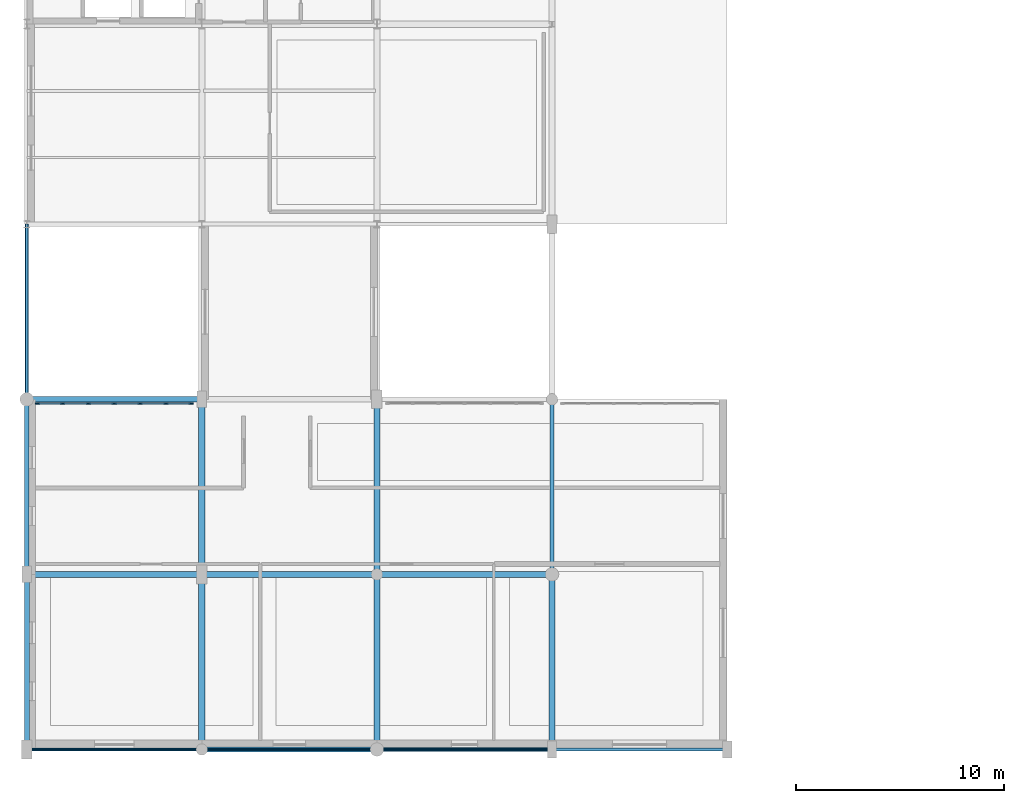
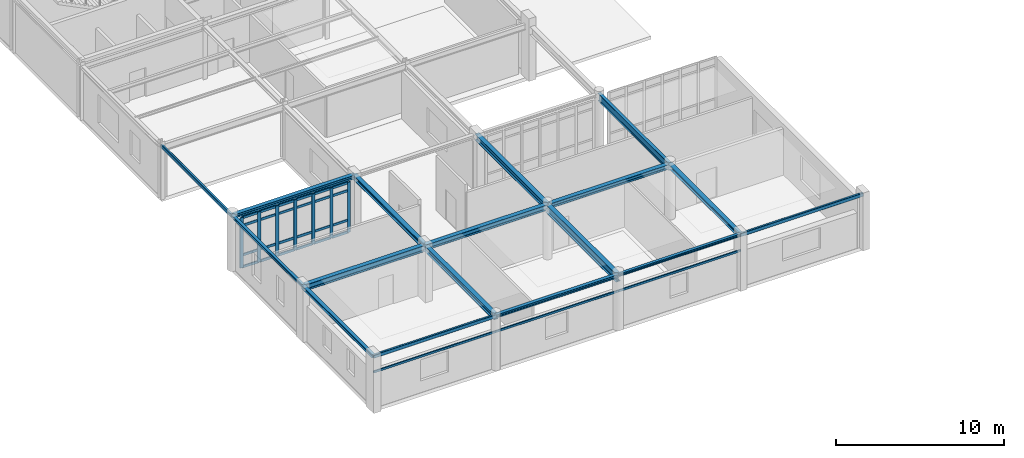
# One storey, part 22 of 90: 31 members, 20 beams, 1 element without a shape of its own.
"""IFC4 building model written with IfcOpenShell, lengths in metres."""

from ifc_helpers import new_model, si_unit, derived_unit, direction, frame, origin, origin_2d, place, context, subcontext, project, spatial, rectangle, hollow_rectangle, i_section, extrude, material, layer, layer_set, material_profile, profile_set, type_object, element, aggregate, save


model = new_model("IFC4")

# Units and contexts
model_context = context("Model", 3, precision=1e-05, world=origin(), true_north=direction((0.0, 1.0)))
body_context = subcontext(model_context, "Body", "Model", "MODEL_VIEW")
ifc_project = project(units=[si_unit("LENGTHUNIT", "METRE"), si_unit("AREAUNIT", "SQUARE_METRE"), si_unit("VOLUMEUNIT", "CUBIC_METRE"), si_unit("PLANEANGLEUNIT", "RADIAN"), si_unit("MASSUNIT", "GRAM", prefix="KILO"), derived_unit("THERMALTRANSMITTANCEUNIT", [(si_unit("POWERUNIT", "WATT"), 1), (si_unit("AREAUNIT", "SQUARE_METRE"), -1), (si_unit("THERMODYNAMICTEMPERATUREUNIT", "KELVIN"), -1)])], contexts=[model_context])

# Site, building, storey
site_placement = place(None, origin())
site = spatial("IfcSite", under=ifc_project, at=site_placement, CompositionType="ELEMENT")
building_placement = place(site_placement, origin())
building = spatial("IfcBuilding", under=site, at=building_placement, Name="Yasenodar Specialist Clinic", CompositionType="ELEMENT")
storey_placement = place(building_placement, frame((0.0, 0.0, 9.0)))
storey = spatial("IfcBuildingStorey", under=building, at=storey_placement, Name="L02", CompositionType="ELEMENT", Elevation=9.0)

# Beams
ifc_material_1 = material(Name="Steel S355", Category="steel")
ifc_material_profile_1 = material_profile(ifc_material_1, i_section(OverallWidth=0.280029296875, OverallDepth=0.27001953125, WebThickness=0.008056640625, FlangeThickness=0.012939453125, FilletRadius=0.02392578125, at=origin_2d()), Name="HEA 280")
ifc_profile_set_1 = profile_set([ifc_material_profile_1], Name="Steel S355")
beam_type_1 = type_object("IfcBeamType", Name="BM-HEA280", PredefinedType="BEAM", material=ifc_profile_set_1)
beam_1_placement = place(storey_placement, frame((0.0, 16.800048828125, 3.804931640625), z_axis=(1.0, 0.0, 0.0), x_axis=(0.0, 1.0, 0.0)))
element("IfcBeam", 1, at=beam_1_placement, inside=storey, type_object=beam_type_1, Name="L02 Primary E-W Girder", PredefinedType="BEAM", context=body_context, shape_type="SweptSolid", body=[
    extrude(i_section(OverallWidth=0.280029296875, OverallDepth=0.27001953125, WebThickness=0.008056640625, FlangeThickness=0.012939453125, FilletRadius=0.02392578125, at=origin_2d()), origin(), (0.0, 0.0, 1.0), 8.39990234375),
])
ifc_material_profile_2 = material_profile(ifc_material_1, i_section(OverallWidth=0.300048828125, OverallDepth=0.2900390625, WebThickness=0.008544921875, FlangeThickness=0.013916015625, FilletRadius=0.027099609375, at=origin_2d()), Name="HEA 300")
ifc_profile_set_2 = profile_set([ifc_material_profile_2], Name="Steel S355")
beam_type_2 = type_object("IfcBeamType", Name="BM-HEA300", PredefinedType="BEAM", material=ifc_profile_set_2)
beam_2_placement = place(storey_placement, frame((25.199951171875, 0.0, 3.794921875), z_axis=(0.0, 1.0, 0.0), x_axis=(-1.0, 0.0, 0.0)))
element("IfcBeam", 2, at=beam_2_placement, inside=storey, type_object=beam_type_2, Name="L02 Primary N-S Girder", PredefinedType="BEAM", context=body_context, shape_type="SweptSolid", body=[
    extrude(i_section(OverallWidth=0.300048828125, OverallDepth=0.2900390625, WebThickness=0.008544921875, FlangeThickness=0.013916015625, FilletRadius=0.027099609375, at=origin_2d()), origin(), (0.0, 0.0, 1.0), 8.39990234375),
])
ifc_material_profile_3 = material_profile(ifc_material_1, i_section(OverallWidth=0.300048828125, OverallDepth=0.330078125, WebThickness=0.009521484375, FlangeThickness=0.0166015625, FilletRadius=0.027099609375, at=origin_2d()), Name="HEA 340")
ifc_profile_set_3 = profile_set([ifc_material_profile_3], Name="Steel S355")
beam_type_3 = type_object("IfcBeamType", Name="BM-HEA340", PredefinedType="BEAM", material=ifc_profile_set_3)
beam_3_placement = place(storey_placement, frame((16.800048828125, 8.39990234375, 3.77490234375), z_axis=(1.0, 0.0, 0.0), x_axis=(0.0, 1.0, 0.0)))
element("IfcBeam", 3, at=beam_3_placement, inside=storey, type_object=beam_type_3, Name="L02 Primary E-W Girder", PredefinedType="BEAM", context=body_context, shape_type="SweptSolid", body=[
    extrude(i_section(OverallWidth=0.300048828125, OverallDepth=0.330078125, WebThickness=0.009521484375, FlangeThickness=0.0166015625, FilletRadius=0.027099609375, at=origin_2d()), origin(), (0.0, 0.0, 1.0), 8.39990234375),
])
ifc_material_profile_4 = material_profile(ifc_material_1, i_section(OverallWidth=0.300048828125, OverallDepth=0.389892578125, WebThickness=0.010986328125, FlangeThickness=0.01904296875, FilletRadius=0.027099609375, at=origin_2d()), Name="HEA 400")
ifc_profile_set_4 = profile_set([ifc_material_profile_4], Name="Steel S355")
beam_type_4 = type_object("IfcBeamType", Name="BM-HEA400", PredefinedType="BEAM", material=ifc_profile_set_4)
beam_4_placement = place(storey_placement, frame((8.39990234375, 8.39990234375, 3.7451171875), z_axis=(1.0, 0.0, 0.0), x_axis=(0.0, 1.0, 0.0)))
element("IfcBeam", 4, at=beam_4_placement, inside=storey, type_object=beam_type_4, Name="L02 Primary E-W Girder", PredefinedType="BEAM", context=body_context, shape_type="SweptSolid", body=[
    extrude(i_section(OverallWidth=0.300048828125, OverallDepth=0.389892578125, WebThickness=0.010986328125, FlangeThickness=0.01904296875, FilletRadius=0.027099609375, at=origin_2d()), origin(), (0.0, 0.0, 1.0), 8.400146484375),
])
ifc_material_profile_5 = material_profile(ifc_material_1, i_section(OverallWidth=0.300048828125, OverallDepth=0.43994140625, WebThickness=0.011474609375, FlangeThickness=0.02099609375, FilletRadius=0.027099609375, at=origin_2d()), Name="HEA 450")
ifc_profile_set_5 = profile_set([ifc_material_profile_5], Name="Steel S355")
beam_type_5 = type_object("IfcBeamType", Name="BM-HEA450", PredefinedType="BEAM", material=ifc_profile_set_5)
beam_5_placement = place(storey_placement, frame((0.0, 8.39990234375, 3.719970703125), z_axis=(1.0, 0.0, 0.0), x_axis=(0.0, 1.0, 0.0)))
element("IfcBeam", 5, at=beam_5_placement, inside=storey, type_object=beam_type_5, Name="L02 Primary E-W Girder", PredefinedType="BEAM", context=body_context, shape_type="SweptSolid", body=[
    extrude(i_section(OverallWidth=0.300048828125, OverallDepth=0.43994140625, WebThickness=0.011474609375, FlangeThickness=0.02099609375, FilletRadius=0.027099609375, at=origin_2d()), origin(), (0.0, 0.0, 1.0), 8.39990234375),
])
ifc_material_profile_6 = material_profile(ifc_material_1, i_section(OverallWidth=0.300048828125, OverallDepth=0.340087890625, WebThickness=0.011962890625, FlangeThickness=0.021484375, FilletRadius=0.027099609375, at=origin_2d()), Name="HEB 340")
ifc_profile_set_6 = profile_set([ifc_material_profile_6], Name="Steel S355")
beam_type_6 = type_object("IfcBeamType", Name="BM-HEB340", PredefinedType="BEAM", material=ifc_profile_set_6)
beam_6_placement = place(storey_placement, frame((8.39990234375, 8.39990234375, 3.77001953125), z_axis=(0.0, 1.0, 0.0), x_axis=(-1.0, 0.0, 0.0)))
element("IfcBeam", 6, at=beam_6_placement, inside=storey, type_object=beam_type_6, Name="L02 Primary N-S Girder", PredefinedType="BEAM", context=body_context, shape_type="SweptSolid", body=[
    extrude(i_section(OverallWidth=0.300048828125, OverallDepth=0.340087890625, WebThickness=0.011962890625, FlangeThickness=0.021484375, FilletRadius=0.027099609375, at=origin_2d()), origin(), (0.0, 0.0, 1.0), 8.400146484375),
])
ifc_material_profile_7 = material_profile(ifc_material_1, i_section(OverallWidth=0.300048828125, OverallDepth=0.39990234375, WebThickness=0.013427734375, FlangeThickness=0.02392578125, FilletRadius=0.027099609375, at=origin_2d()), Name="HEB 400")
ifc_profile_set_7 = profile_set([ifc_material_profile_7], Name="Steel S355")
beam_type_7 = type_object("IfcBeamType", Name="BM-HEB400", PredefinedType="BEAM", material=ifc_profile_set_7)
beam_7_placement = place(storey_placement, frame((8.39990234375, 0.0, 3.739990234375), z_axis=(0.0, 1.0, 0.0), x_axis=(-1.0, 0.0, 0.0)))
element("IfcBeam", 7, at=beam_7_placement, inside=storey, type_object=beam_type_7, Name="L02 Primary N-S Girder", PredefinedType="BEAM", context=body_context, shape_type="SweptSolid", body=[
    extrude(i_section(OverallWidth=0.300048828125, OverallDepth=0.39990234375, WebThickness=0.013427734375, FlangeThickness=0.02392578125, FilletRadius=0.027099609375, at=origin_2d()), origin(), (0.0, 0.0, 1.0), 8.39990234375),
])
ifc_material_profile_8 = material_profile(ifc_material_1, i_section(OverallWidth=0.300048828125, OverallDepth=0.449951171875, WebThickness=0.013916015625, FlangeThickness=0.02587890625, FilletRadius=0.027099609375, at=origin_2d()), Name="HEB 450")
ifc_profile_set_8 = profile_set([ifc_material_profile_8], Name="Steel S355")
beam_type_8 = type_object("IfcBeamType", Name="BM-HEB450", PredefinedType="BEAM", material=ifc_profile_set_8)
beam_8_placement = place(storey_placement, frame((16.800048828125, 8.39990234375, 3.715087890625), z_axis=(0.0, 1.0, 0.0), x_axis=(-1.0, 0.0, 0.0)))
element("IfcBeam", 8, at=beam_8_placement, inside=storey, type_object=beam_type_8, Name="L02 Primary N-S Girder", PredefinedType="BEAM", context=body_context, shape_type="SweptSolid", body=[
    extrude(i_section(OverallWidth=0.300048828125, OverallDepth=0.449951171875, WebThickness=0.013916015625, FlangeThickness=0.02587890625, FilletRadius=0.027099609375, at=origin_2d()), origin(), (0.0, 0.0, 1.0), 8.400146484375),
])
ifc_material_profile_9 = material_profile(ifc_material_1, i_section(OverallWidth=0.300048828125, OverallDepth=0.60009765625, WebThickness=0.015380859375, FlangeThickness=0.030029296875, FilletRadius=0.027099609375, at=origin_2d()), Name="HEB 600")
ifc_profile_set_9 = profile_set([ifc_material_profile_9], Name="Steel S355")
beam_type_9 = type_object("IfcBeamType", Name="BM-HEB600", PredefinedType="BEAM", material=ifc_profile_set_9)
beam_9_placement = place(storey_placement, frame((16.800048828125, 0.0, 3.639892578125), z_axis=(0.0, 1.0, 0.0), x_axis=(-1.0, 0.0, 0.0)))
element("IfcBeam", 9, at=beam_9_placement, inside=storey, type_object=beam_type_9, Name="L02 Primary N-S Girder", PredefinedType="BEAM", context=body_context, shape_type="SweptSolid", body=[
    extrude(i_section(OverallWidth=0.300048828125, OverallDepth=0.60009765625, WebThickness=0.015380859375, FlangeThickness=0.030029296875, FilletRadius=0.027099609375, at=origin_2d()), origin(), (0.0, 0.0, 1.0), 8.39990234375),
])
ifc_material_profile_10 = material_profile(ifc_material_1, i_section(OverallWidth=0.2099609375, OverallDepth=0.550048828125, WebThickness=0.010986328125, FlangeThickness=0.01708984375, FilletRadius=0.02392578125, at=origin_2d()), Name="IPE 550")
ifc_profile_set_10 = profile_set([ifc_material_profile_10], Name="Steel S355")
beam_type_10 = type_object("IfcBeamType", Name="BM-IPE550", PredefinedType="BEAM", material=ifc_profile_set_10)
beam_10_placement = place(storey_placement, frame((25.199951171875, 8.39990234375, 3.6650390625), z_axis=(0.0, 1.0, 0.0), x_axis=(-1.0, 0.0, 0.0)))
element("IfcBeam", 10, at=beam_10_placement, inside=storey, type_object=beam_type_10, Name="L02 Primary N-S Girder", PredefinedType="BEAM", context=body_context, shape_type="SweptSolid", body=[
    extrude(i_section(OverallWidth=0.2099609375, OverallDepth=0.550048828125, WebThickness=0.010986328125, FlangeThickness=0.01708984375, FilletRadius=0.02392578125, at=origin_2d()), origin(), (0.0, 0.0, 1.0), 8.400146484375),
])

# Curtain wall, members
ifc_material_2 = material(Name="Bronze Anodized Aluminium and Triple Low-E Glass", Category="aluminium")
ifc_layer = layer(ifc_material_2, 0.202880859375)
ifc_layer_set = layer_set([ifc_layer], Name="Bronze Anodized Aluminium and Triple Low-E Glass")
curtain_wall_type = type_object("IfcCurtainWallType", Name="CW-SYS-04", PredefinedType="USERDEFINED", material=ifc_layer_set)
curtain_wall_placement = place(storey_placement, origin())
curtain_wall = element("IfcCurtainWall", 11, at=curtain_wall_placement, inside=storey, type_object=curtain_wall_type, Name="L02 Unitised Curtain Wall 075", ObjectType="UNITISED CURTAIN WALL", PredefinedType="USERDEFINED")
ifc_material_3 = material(Name="Bronze Anodized Aluminium", Category="aluminium")
ifc_material_profile_11 = material_profile(ifc_material_3, rectangle(XDim=0.074951171875, YDim=0.22509765625, at=origin_2d()), Name="CW-MULL 75x225")
ifc_profile_set_11 = profile_set([ifc_material_profile_11], Name="Bronze Anodized Aluminium")
member_type_1 = type_object("IfcMemberType", Name="CW-MULL-225", PredefinedType="MULLION", material=ifc_profile_set_11)
member_1_placement = place(storey_placement, frame((0.517578125, 16.60009765625, 0.0), z_axis=(0.0, 0.0, 1.0), x_axis=(0.0, 1.0, 0.0)))
member_1 = element("IfcMember", 12, at=member_1_placement, type_object=member_type_1, Name="CW-04 mullion 1", PredefinedType="MULLION", context=body_context, shape_type="SweptSolid", body=[
    extrude(rectangle(XDim=0.074951171875, YDim=0.22509765625, at=origin_2d()), origin(), (0.0, 0.0, 1.0), 3.64794921875),
])
member_2_placement = place(storey_placement, frame((1.719970703125, 16.60009765625, 0.0), z_axis=(0.0, 0.0, 1.0), x_axis=(0.0, 1.0, 0.0)))
member_2 = element("IfcMember", 13, at=member_2_placement, type_object=member_type_1, Name="CW-04 mullion 2", PredefinedType="MULLION", context=body_context, shape_type="SweptSolid", body=[
    extrude(rectangle(XDim=0.074951171875, YDim=0.22509765625, at=origin_2d()), origin(), (0.0, 0.0, 1.0), 3.64794921875),
])
member_3_placement = place(storey_placement, frame((2.9599609375, 16.60009765625, 0.0), z_axis=(0.0, 0.0, 1.0), x_axis=(0.0, 1.0, 0.0)))
member_3 = element("IfcMember", 14, at=member_3_placement, type_object=member_type_1, Name="CW-04 mullion 3", PredefinedType="MULLION", context=body_context, shape_type="SweptSolid", body=[
    extrude(rectangle(XDim=0.074951171875, YDim=0.22509765625, at=origin_2d()), origin(), (0.0, 0.0, 1.0), 3.64794921875),
])
member_4_placement = place(storey_placement, frame((4.199951171875, 16.60009765625, 0.0), z_axis=(0.0, 0.0, 1.0), x_axis=(0.0, 1.0, 0.0)))
member_4 = element("IfcMember", 15, at=member_4_placement, type_object=member_type_1, Name="CW-04 mullion 4", PredefinedType="MULLION", context=body_context, shape_type="SweptSolid", body=[
    extrude(rectangle(XDim=0.074951171875, YDim=0.22509765625, at=origin_2d()), origin(), (0.0, 0.0, 1.0), 3.64794921875),
])
member_5_placement = place(storey_placement, frame((5.43994140625, 16.60009765625, 0.0), z_axis=(0.0, 0.0, 1.0), x_axis=(0.0, 1.0, 0.0)))
member_5 = element("IfcMember", 16, at=member_5_placement, type_object=member_type_1, Name="CW-04 mullion 5", PredefinedType="MULLION", context=body_context, shape_type="SweptSolid", body=[
    extrude(rectangle(XDim=0.074951171875, YDim=0.22509765625, at=origin_2d()), origin(), (0.0, 0.0, 1.0), 3.64794921875),
])
member_6_placement = place(storey_placement, frame((6.679931640625, 16.60009765625, 0.0), z_axis=(0.0, 0.0, 1.0), x_axis=(0.0, 1.0, 0.0)))
member_6 = element("IfcMember", 17, at=member_6_placement, type_object=member_type_1, Name="CW-04 mullion 6", PredefinedType="MULLION", context=body_context, shape_type="SweptSolid", body=[
    extrude(rectangle(XDim=0.074951171875, YDim=0.22509765625, at=origin_2d()), origin(), (0.0, 0.0, 1.0), 3.64794921875),
])
member_7_placement = place(storey_placement, frame((7.882568359375, 16.60009765625, 0.0), z_axis=(0.0, 0.0, 1.0), x_axis=(0.0, 1.0, 0.0)))
member_7 = element("IfcMember", 18, at=member_7_placement, type_object=member_type_1, Name="CW-04 mullion 7", PredefinedType="MULLION", context=body_context, shape_type="SweptSolid", body=[
    extrude(rectangle(XDim=0.074951171875, YDim=0.22509765625, at=origin_2d()), origin(), (0.0, 0.0, 1.0), 3.64794921875),
])
ifc_material_profile_12 = material_profile(ifc_material_3, rectangle(XDim=0.074951171875, YDim=0.175048828125, at=origin_2d()), Name="CW-TRAN 75x175")
ifc_profile_set_12 = profile_set([ifc_material_profile_12], Name="Bronze Anodized Aluminium")
member_type_2 = type_object("IfcMemberType", Name="CW-TRAN-175", PredefinedType="USERDEFINED", material=ifc_profile_set_12)
member_8_placement = place(storey_placement, frame((0.554931640625, 16.60009765625, 0.03759765625), z_axis=(1.0, 0.0, 0.0), x_axis=(0.0, 1.0, 0.0)))
member_8 = element("IfcMember", 19, at=member_8_placement, type_object=member_type_2, Name="CW-04 transom 1.1", ObjectType="TRANSOM", PredefinedType="USERDEFINED", context=body_context, shape_type="SweptSolid", body=[
    extrude(rectangle(XDim=0.074951171875, YDim=0.175048828125, at=origin_2d()), origin(), (0.0, 0.0, 1.0), 1.127685546875),
])
member_9_placement = place(storey_placement, frame((0.554931640625, 16.60009765625, 0.89990234375), z_axis=(1.0, 0.0, 0.0), x_axis=(0.0, 1.0, 0.0)))
member_9 = element("IfcMember", 20, at=member_9_placement, type_object=member_type_2, Name="CW-04 transom 1.2", ObjectType="TRANSOM", PredefinedType="USERDEFINED", context=body_context, shape_type="SweptSolid", body=[
    extrude(rectangle(XDim=0.074951171875, YDim=0.175048828125, at=origin_2d()), origin(), (0.0, 0.0, 1.0), 1.127685546875),
])
member_10_placement = place(storey_placement, frame((0.554931640625, 16.60009765625, 3.048095703125), z_axis=(1.0, 0.0, 0.0), x_axis=(0.0, 1.0, 0.0)))
member_10 = element("IfcMember", 21, at=member_10_placement, type_object=member_type_2, Name="CW-04 transom 1.3", ObjectType="TRANSOM", PredefinedType="USERDEFINED", context=body_context, shape_type="SweptSolid", body=[
    extrude(rectangle(XDim=0.074951171875, YDim=0.175048828125, at=origin_2d()), origin(), (0.0, 0.0, 1.0), 1.127685546875),
])
member_11_placement = place(storey_placement, frame((0.554931640625, 16.60009765625, 3.610595703125), z_axis=(1.0, 0.0, 0.0), x_axis=(0.0, 1.0, 0.0)))
member_11 = element("IfcMember", 22, at=member_11_placement, type_object=member_type_2, Name="CW-04 transom 1.4", ObjectType="TRANSOM", PredefinedType="USERDEFINED", context=body_context, shape_type="SweptSolid", body=[
    extrude(rectangle(XDim=0.074951171875, YDim=0.175048828125, at=origin_2d()), origin(), (0.0, 0.0, 1.0), 1.127685546875),
])
member_12_placement = place(storey_placement, frame((1.757568359375, 16.60009765625, 0.03759765625), z_axis=(1.0, 0.0, 0.0), x_axis=(0.0, 1.0, 0.0)))
member_12 = element("IfcMember", 23, at=member_12_placement, type_object=member_type_2, Name="CW-04 transom 2.1", ObjectType="TRANSOM", PredefinedType="USERDEFINED", context=body_context, shape_type="SweptSolid", body=[
    extrude(rectangle(XDim=0.074951171875, YDim=0.175048828125, at=origin_2d()), origin(), (0.0, 0.0, 1.0), 1.1650390625),
])
member_13_placement = place(storey_placement, frame((1.757568359375, 16.60009765625, 0.89990234375), z_axis=(1.0, 0.0, 0.0), x_axis=(0.0, 1.0, 0.0)))
member_13 = element("IfcMember", 24, at=member_13_placement, type_object=member_type_2, Name="CW-04 transom 2.2", ObjectType="TRANSOM", PredefinedType="USERDEFINED", context=body_context, shape_type="SweptSolid", body=[
    extrude(rectangle(XDim=0.074951171875, YDim=0.175048828125, at=origin_2d()), origin(), (0.0, 0.0, 1.0), 1.1650390625),
])
member_14_placement = place(storey_placement, frame((1.757568359375, 16.60009765625, 3.048095703125), z_axis=(1.0, 0.0, 0.0), x_axis=(0.0, 1.0, 0.0)))
member_14 = element("IfcMember", 25, at=member_14_placement, type_object=member_type_2, Name="CW-04 transom 2.3", ObjectType="TRANSOM", PredefinedType="USERDEFINED", context=body_context, shape_type="SweptSolid", body=[
    extrude(rectangle(XDim=0.074951171875, YDim=0.175048828125, at=origin_2d()), origin(), (0.0, 0.0, 1.0), 1.1650390625),
])
member_15_placement = place(storey_placement, frame((1.757568359375, 16.60009765625, 3.610595703125), z_axis=(1.0, 0.0, 0.0), x_axis=(0.0, 1.0, 0.0)))
member_15 = element("IfcMember", 26, at=member_15_placement, type_object=member_type_2, Name="CW-04 transom 2.4", ObjectType="TRANSOM", PredefinedType="USERDEFINED", context=body_context, shape_type="SweptSolid", body=[
    extrude(rectangle(XDim=0.074951171875, YDim=0.175048828125, at=origin_2d()), origin(), (0.0, 0.0, 1.0), 1.1650390625),
])
member_16_placement = place(storey_placement, frame((2.99755859375, 16.60009765625, 0.03759765625), z_axis=(1.0, 0.0, 0.0), x_axis=(0.0, 1.0, 0.0)))
member_16 = element("IfcMember", 27, at=member_16_placement, type_object=member_type_2, Name="CW-04 transom 3.1", ObjectType="TRANSOM", PredefinedType="USERDEFINED", context=body_context, shape_type="SweptSolid", body=[
    extrude(rectangle(XDim=0.074951171875, YDim=0.175048828125, at=origin_2d()), origin(), (0.0, 0.0, 1.0), 1.1650390625),
])
member_17_placement = place(storey_placement, frame((2.99755859375, 16.60009765625, 0.89990234375), z_axis=(1.0, 0.0, 0.0), x_axis=(0.0, 1.0, 0.0)))
member_17 = element("IfcMember", 28, at=member_17_placement, type_object=member_type_2, Name="CW-04 transom 3.2", ObjectType="TRANSOM", PredefinedType="USERDEFINED", context=body_context, shape_type="SweptSolid", body=[
    extrude(rectangle(XDim=0.074951171875, YDim=0.175048828125, at=origin_2d()), origin(), (0.0, 0.0, 1.0), 1.1650390625),
])
member_18_placement = place(storey_placement, frame((2.99755859375, 16.60009765625, 3.048095703125), z_axis=(1.0, 0.0, 0.0), x_axis=(0.0, 1.0, 0.0)))
member_18 = element("IfcMember", 29, at=member_18_placement, type_object=member_type_2, Name="CW-04 transom 3.3", ObjectType="TRANSOM", PredefinedType="USERDEFINED", context=body_context, shape_type="SweptSolid", body=[
    extrude(rectangle(XDim=0.074951171875, YDim=0.175048828125, at=origin_2d()), origin(), (0.0, 0.0, 1.0), 1.1650390625),
])
member_19_placement = place(storey_placement, frame((2.99755859375, 16.60009765625, 3.610595703125), z_axis=(1.0, 0.0, 0.0), x_axis=(0.0, 1.0, 0.0)))
member_19 = element("IfcMember", 30, at=member_19_placement, type_object=member_type_2, Name="CW-04 transom 3.4", ObjectType="TRANSOM", PredefinedType="USERDEFINED", context=body_context, shape_type="SweptSolid", body=[
    extrude(rectangle(XDim=0.074951171875, YDim=0.175048828125, at=origin_2d()), origin(), (0.0, 0.0, 1.0), 1.1650390625),
])
member_20_placement = place(storey_placement, frame((4.237548828125, 16.60009765625, 0.03759765625), z_axis=(1.0, 0.0, 0.0), x_axis=(0.0, 1.0, 0.0)))
member_20 = element("IfcMember", 31, at=member_20_placement, type_object=member_type_2, Name="CW-04 transom 4.1", ObjectType="TRANSOM", PredefinedType="USERDEFINED", context=body_context, shape_type="SweptSolid", body=[
    extrude(rectangle(XDim=0.074951171875, YDim=0.175048828125, at=origin_2d()), origin(), (0.0, 0.0, 1.0), 1.1650390625),
])
member_21_placement = place(storey_placement, frame((4.237548828125, 16.60009765625, 0.89990234375), z_axis=(1.0, 0.0, 0.0), x_axis=(0.0, 1.0, 0.0)))
member_21 = element("IfcMember", 32, at=member_21_placement, type_object=member_type_2, Name="CW-04 transom 4.2", ObjectType="TRANSOM", PredefinedType="USERDEFINED", context=body_context, shape_type="SweptSolid", body=[
    extrude(rectangle(XDim=0.074951171875, YDim=0.175048828125, at=origin_2d()), origin(), (0.0, 0.0, 1.0), 1.1650390625),
])
member_22_placement = place(storey_placement, frame((4.237548828125, 16.60009765625, 3.048095703125), z_axis=(1.0, 0.0, 0.0), x_axis=(0.0, 1.0, 0.0)))
member_22 = element("IfcMember", 33, at=member_22_placement, type_object=member_type_2, Name="CW-04 transom 4.3", ObjectType="TRANSOM", PredefinedType="USERDEFINED", context=body_context, shape_type="SweptSolid", body=[
    extrude(rectangle(XDim=0.074951171875, YDim=0.175048828125, at=origin_2d()), origin(), (0.0, 0.0, 1.0), 1.1650390625),
])
member_23_placement = place(storey_placement, frame((4.237548828125, 16.60009765625, 3.610595703125), z_axis=(1.0, 0.0, 0.0), x_axis=(0.0, 1.0, 0.0)))
member_23 = element("IfcMember", 34, at=member_23_placement, type_object=member_type_2, Name="CW-04 transom 4.4", ObjectType="TRANSOM", PredefinedType="USERDEFINED", context=body_context, shape_type="SweptSolid", body=[
    extrude(rectangle(XDim=0.074951171875, YDim=0.175048828125, at=origin_2d()), origin(), (0.0, 0.0, 1.0), 1.1650390625),
])
member_24_placement = place(storey_placement, frame((5.4775390625, 16.60009765625, 0.03759765625), z_axis=(1.0, 0.0, 0.0), x_axis=(0.0, 1.0, 0.0)))
member_24 = element("IfcMember", 35, at=member_24_placement, type_object=member_type_2, Name="CW-04 transom 5.1", ObjectType="TRANSOM", PredefinedType="USERDEFINED", context=body_context, shape_type="SweptSolid", body=[
    extrude(rectangle(XDim=0.074951171875, YDim=0.175048828125, at=origin_2d()), origin(), (0.0, 0.0, 1.0), 1.1650390625),
])
member_25_placement = place(storey_placement, frame((5.4775390625, 16.60009765625, 0.89990234375), z_axis=(1.0, 0.0, 0.0), x_axis=(0.0, 1.0, 0.0)))
member_25 = element("IfcMember", 36, at=member_25_placement, type_object=member_type_2, Name="CW-04 transom 5.2", ObjectType="TRANSOM", PredefinedType="USERDEFINED", context=body_context, shape_type="SweptSolid", body=[
    extrude(rectangle(XDim=0.074951171875, YDim=0.175048828125, at=origin_2d()), origin(), (0.0, 0.0, 1.0), 1.1650390625),
])
member_26_placement = place(storey_placement, frame((5.4775390625, 16.60009765625, 3.048095703125), z_axis=(1.0, 0.0, 0.0), x_axis=(0.0, 1.0, 0.0)))
member_26 = element("IfcMember", 37, at=member_26_placement, type_object=member_type_2, Name="CW-04 transom 5.3", ObjectType="TRANSOM", PredefinedType="USERDEFINED", context=body_context, shape_type="SweptSolid", body=[
    extrude(rectangle(XDim=0.074951171875, YDim=0.175048828125, at=origin_2d()), origin(), (0.0, 0.0, 1.0), 1.1650390625),
])
member_27_placement = place(storey_placement, frame((5.4775390625, 16.60009765625, 3.610595703125), z_axis=(1.0, 0.0, 0.0), x_axis=(0.0, 1.0, 0.0)))
member_27 = element("IfcMember", 38, at=member_27_placement, type_object=member_type_2, Name="CW-04 transom 5.4", ObjectType="TRANSOM", PredefinedType="USERDEFINED", context=body_context, shape_type="SweptSolid", body=[
    extrude(rectangle(XDim=0.074951171875, YDim=0.175048828125, at=origin_2d()), origin(), (0.0, 0.0, 1.0), 1.1650390625),
])
member_28_placement = place(storey_placement, frame((6.717529296875, 16.60009765625, 0.03759765625), z_axis=(1.0, 0.0, 0.0), x_axis=(0.0, 1.0, 0.0)))
member_28 = element("IfcMember", 39, at=member_28_placement, type_object=member_type_2, Name="CW-04 transom 6.1", ObjectType="TRANSOM", PredefinedType="USERDEFINED", context=body_context, shape_type="SweptSolid", body=[
    extrude(rectangle(XDim=0.074951171875, YDim=0.175048828125, at=origin_2d()), origin(), (0.0, 0.0, 1.0), 1.12744140625),
])
member_29_placement = place(storey_placement, frame((6.717529296875, 16.60009765625, 0.89990234375), z_axis=(1.0, 0.0, 0.0), x_axis=(0.0, 1.0, 0.0)))
member_29 = element("IfcMember", 40, at=member_29_placement, type_object=member_type_2, Name="CW-04 transom 6.2", ObjectType="TRANSOM", PredefinedType="USERDEFINED", context=body_context, shape_type="SweptSolid", body=[
    extrude(rectangle(XDim=0.074951171875, YDim=0.175048828125, at=origin_2d()), origin(), (0.0, 0.0, 1.0), 1.12744140625),
])
member_30_placement = place(storey_placement, frame((6.717529296875, 16.60009765625, 3.048095703125), z_axis=(1.0, 0.0, 0.0), x_axis=(0.0, 1.0, 0.0)))
member_30 = element("IfcMember", 41, at=member_30_placement, type_object=member_type_2, Name="CW-04 transom 6.3", ObjectType="TRANSOM", PredefinedType="USERDEFINED", context=body_context, shape_type="SweptSolid", body=[
    extrude(rectangle(XDim=0.074951171875, YDim=0.175048828125, at=origin_2d()), origin(), (0.0, 0.0, 1.0), 1.12744140625),
])
member_31_placement = place(storey_placement, frame((6.717529296875, 16.60009765625, 3.610595703125), z_axis=(1.0, 0.0, 0.0), x_axis=(0.0, 1.0, 0.0)))
member_31 = element("IfcMember", 42, at=member_31_placement, type_object=member_type_2, Name="CW-04 transom 6.4", ObjectType="TRANSOM", PredefinedType="USERDEFINED", context=body_context, shape_type="SweptSolid", body=[
    extrude(rectangle(XDim=0.074951171875, YDim=0.175048828125, at=origin_2d()), origin(), (0.0, 0.0, 1.0), 1.12744140625),
])
aggregate(curtain_wall, [member_1, member_2, member_3, member_4, member_5, member_6, member_7, member_8, member_9, member_10, member_11, member_12, member_13, member_14, member_15, member_16, member_17, member_18, member_19, member_20, member_21, member_22, member_23, member_24, member_25, member_26, member_27, member_28, member_29, member_30, member_31])

# Beams
ifc_material_profile_13 = material_profile(ifc_material_1, hollow_rectangle(XDim=0.080078125, YDim=0.159912109375, WallThickness=0.00634765625, InnerFilletRadius=0.009521484375, OuterFilletRadius=0.015869140625, at=origin_2d()), Name="RHS 160x80x6.3")
ifc_profile_set_13 = profile_set([ifc_material_profile_13], Name="Steel S355")
beam_type_11 = type_object("IfcBeamType", Name="LN-RHS160", PredefinedType="LINTEL", material=ifc_profile_set_13)
beam_11_placement = place(storey_placement, frame((0.0, 0.0, 2.669921875), z_axis=(1.0, 0.0, 0.0), x_axis=(0.0, 1.0, 0.0)))
element("IfcBeam", 43, at=beam_11_placement, inside=storey, type_object=beam_type_11, Name="L02 Structural Opening Lintel", PredefinedType="LINTEL", context=body_context, shape_type="SweptSolid", body=[
    extrude(hollow_rectangle(XDim=0.080078125, YDim=0.159912109375, WallThickness=0.00634765625, InnerFilletRadius=0.009521484375, OuterFilletRadius=0.015869140625, at=origin_2d()), origin(), (0.0, 0.0, 1.0), 8.39990234375),
])
beam_12_placement = place(storey_placement, frame((8.39990234375, 0.0, 2.669921875), z_axis=(1.0, 0.0, 0.0), x_axis=(0.0, 1.0, 0.0)))
element("IfcBeam", 44, at=beam_12_placement, inside=storey, type_object=beam_type_11, Name="L02 Structural Opening Lintel", PredefinedType="LINTEL", context=body_context, shape_type="SweptSolid", body=[
    extrude(hollow_rectangle(XDim=0.080078125, YDim=0.159912109375, WallThickness=0.00634765625, InnerFilletRadius=0.009521484375, OuterFilletRadius=0.015869140625, at=origin_2d()), origin(), (0.0, 0.0, 1.0), 8.400146484375),
])
beam_13_placement = place(storey_placement, frame((16.800048828125, 0.0, 2.669921875), z_axis=(1.0, 0.0, 0.0), x_axis=(0.0, 1.0, 0.0)))
element("IfcBeam", 45, at=beam_13_placement, inside=storey, type_object=beam_type_11, Name="L02 Structural Opening Lintel", PredefinedType="LINTEL", context=body_context, shape_type="SweptSolid", body=[
    extrude(hollow_rectangle(XDim=0.080078125, YDim=0.159912109375, WallThickness=0.00634765625, InnerFilletRadius=0.009521484375, OuterFilletRadius=0.015869140625, at=origin_2d()), origin(), (0.0, 0.0, 1.0), 8.39990234375),
])
ifc_material_profile_14 = material_profile(ifc_material_1, i_section(OverallWidth=0.199951171875, OverallDepth=0.18994140625, WebThickness=0.006591796875, FlangeThickness=0.010009765625, FilletRadius=0.01806640625, at=origin_2d()), Name="HEA 200")
ifc_profile_set_14 = profile_set([ifc_material_profile_14], Name="Steel S355")
beam_type_12 = type_object("IfcBeamType", Name="SP-HEA200", PredefinedType="SPANDREL", material=ifc_profile_set_14)
beam_14_placement = place(storey_placement, frame((16.800048828125, 0.0, 3.844970703125), z_axis=(1.0, 0.0, 0.0), x_axis=(0.0, 1.0, 0.0)))
element("IfcBeam", 46, at=beam_14_placement, inside=storey, type_object=beam_type_12, Name="L02 Perimeter Spandrel Beam", PredefinedType="SPANDREL", context=body_context, shape_type="SweptSolid", body=[
    extrude(i_section(OverallWidth=0.199951171875, OverallDepth=0.18994140625, WebThickness=0.006591796875, FlangeThickness=0.010009765625, FilletRadius=0.01806640625, at=origin_2d()), origin(), (0.0, 0.0, 1.0), 8.39990234375),
])
beam_15_placement = place(storey_placement, frame((0.0, 8.39990234375, 3.844970703125), z_axis=(0.0, 1.0, 0.0), x_axis=(-1.0, 0.0, 0.0)))
element("IfcBeam", 47, at=beam_15_placement, inside=storey, type_object=beam_type_12, Name="L02 Perimeter Spandrel Beam", PredefinedType="SPANDREL", context=body_context, shape_type="SweptSolid", body=[
    extrude(i_section(OverallWidth=0.199951171875, OverallDepth=0.18994140625, WebThickness=0.006591796875, FlangeThickness=0.010009765625, FilletRadius=0.01806640625, at=origin_2d()), origin(), (0.0, 0.0, 1.0), 8.400146484375),
])
ifc_material_profile_15 = material_profile(ifc_material_1, i_section(OverallWidth=0.239990234375, OverallDepth=0.22998046875, WebThickness=0.007568359375, FlangeThickness=0.011962890625, FilletRadius=0.02099609375, at=origin_2d()), Name="HEA 240")
ifc_profile_set_15 = profile_set([ifc_material_profile_15], Name="Steel S355")
beam_type_13 = type_object("IfcBeamType", Name="SP-HEA240", PredefinedType="SPANDREL", material=ifc_profile_set_15)
beam_16_placement = place(storey_placement, frame((8.39990234375, 0.0, 3.824951171875), z_axis=(1.0, 0.0, 0.0), x_axis=(0.0, 1.0, 0.0)))
element("IfcBeam", 48, at=beam_16_placement, inside=storey, type_object=beam_type_13, Name="L02 Perimeter Spandrel Beam", PredefinedType="SPANDREL", context=body_context, shape_type="SweptSolid", body=[
    extrude(i_section(OverallWidth=0.239990234375, OverallDepth=0.22998046875, WebThickness=0.007568359375, FlangeThickness=0.011962890625, FilletRadius=0.02099609375, at=origin_2d()), origin(), (0.0, 0.0, 1.0), 8.400146484375),
])
beam_17_placement = place(storey_placement, frame((0.0, 0.0, 3.824951171875), z_axis=(0.0, 1.0, 0.0), x_axis=(-1.0, 0.0, 0.0)))
element("IfcBeam", 49, at=beam_17_placement, inside=storey, type_object=beam_type_13, Name="L02 Perimeter Spandrel Beam", PredefinedType="SPANDREL", context=body_context, shape_type="SweptSolid", body=[
    extrude(i_section(OverallWidth=0.239990234375, OverallDepth=0.22998046875, WebThickness=0.007568359375, FlangeThickness=0.011962890625, FilletRadius=0.02099609375, at=origin_2d()), origin(), (0.0, 0.0, 1.0), 8.39990234375),
])
ifc_material_profile_16 = material_profile(ifc_material_1, hollow_rectangle(XDim=0.14990234375, YDim=0.25, WallThickness=0.010009765625, InnerFilletRadius=0.014892578125, OuterFilletRadius=0.02490234375, at=origin_2d()), Name="RHS 250x150x10")
ifc_profile_set_16 = profile_set([ifc_material_profile_16], Name="Steel S355")
beam_type_14 = type_object("IfcBeamType", Name="SP-RHS250", PredefinedType="SPANDREL", material=ifc_profile_set_16)
beam_18_placement = place(storey_placement, frame((0.0, 0.0, 3.81494140625), z_axis=(1.0, 0.0, 0.0), x_axis=(0.0, 1.0, 0.0)))
element("IfcBeam", 50, at=beam_18_placement, inside=storey, type_object=beam_type_14, Name="L02 Perimeter Spandrel Beam", PredefinedType="SPANDREL", context=body_context, shape_type="SweptSolid", body=[
    extrude(hollow_rectangle(XDim=0.14990234375, YDim=0.25, WallThickness=0.010009765625, InnerFilletRadius=0.014892578125, OuterFilletRadius=0.02490234375, at=origin_2d()), origin(), (0.0, 0.0, 1.0), 8.39990234375),
])
beam_19_placement = place(storey_placement, frame((25.199951171875, 0.0, 3.81494140625), z_axis=(1.0, 0.0, 0.0), x_axis=(0.0, 1.0, 0.0)))
element("IfcBeam", 51, at=beam_19_placement, inside=storey, type_object=beam_type_14, Name="L02 Perimeter Spandrel Beam", PredefinedType="SPANDREL", context=body_context, shape_type="SweptSolid", body=[
    extrude(hollow_rectangle(XDim=0.14990234375, YDim=0.25, WallThickness=0.010009765625, InnerFilletRadius=0.014892578125, OuterFilletRadius=0.02490234375, at=origin_2d()), origin(), (0.0, 0.0, 1.0), 8.400146484375),
])
beam_20_placement = place(storey_placement, frame((0.0, 16.800048828125, 3.81494140625), z_axis=(0.0, 1.0, 0.0), x_axis=(-1.0, 0.0, 0.0)))
element("IfcBeam", 52, at=beam_20_placement, inside=storey, type_object=beam_type_14, Name="L02 Perimeter Spandrel Beam", PredefinedType="SPANDREL", context=body_context, shape_type="SweptSolid", body=[
    extrude(hollow_rectangle(XDim=0.14990234375, YDim=0.25, WallThickness=0.010009765625, InnerFilletRadius=0.014892578125, OuterFilletRadius=0.02490234375, at=origin_2d()), origin(), (0.0, 0.0, 1.0), 8.39990234375),
])

save(model, "model.ifc")
